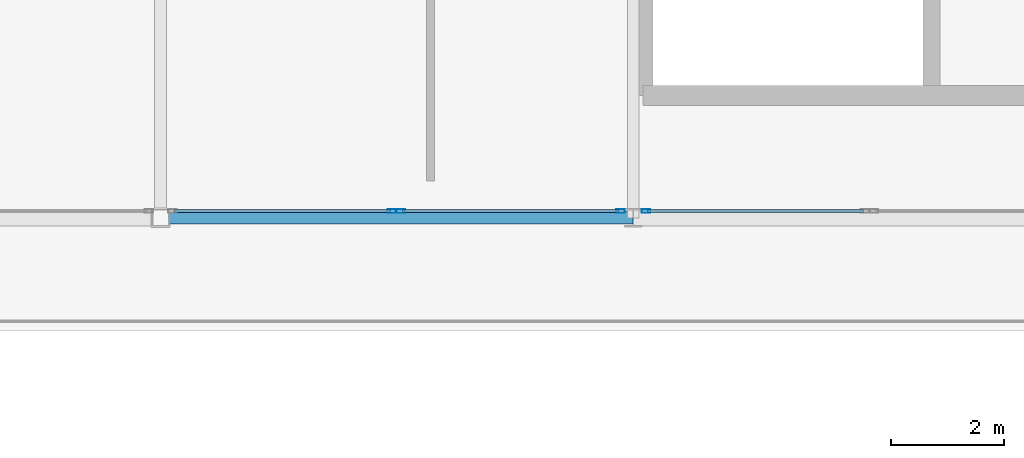
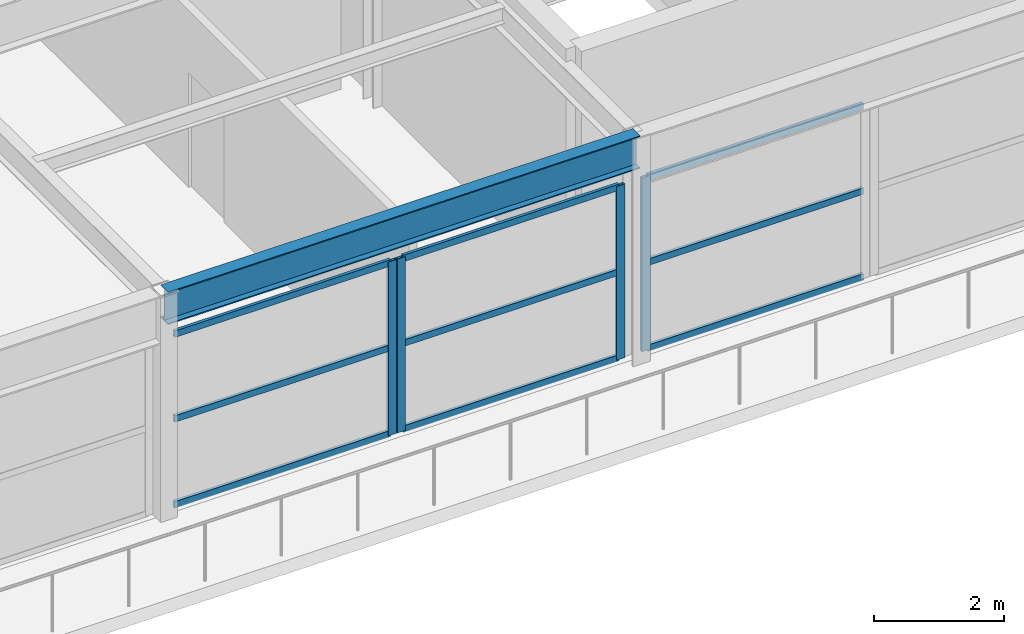
# One storey, part 60 of 123: 13 members, 1 beam, 3 elements without a shape of their own.
"""IFC4 building model written with IfcOpenShell, lengths in metres."""

from ifc_helpers import new_model, si_unit, direction, frame, origin, origin_2d, place, context, subcontext, project, spatial, hollow_rectangle, i_section, extrude, material, layer, layer_set, material_profile, profile_set, type_object, element, aggregate, save


model = new_model("IFC4")

# Units and contexts
model_context = context("Model", 3, precision=1e-05, world=origin(), true_north=direction((0.0, 1.0)))
body_context = subcontext(model_context, "Body", "Model", "MODEL_VIEW")
ifc_project = project(units=[si_unit("LENGTHUNIT", "METRE"), si_unit("AREAUNIT", "SQUARE_METRE"), si_unit("VOLUMEUNIT", "CUBIC_METRE"), si_unit("PLANEANGLEUNIT", "RADIAN"), si_unit("MASSUNIT", "GRAM", prefix="KILO")], contexts=[model_context])

# Site, building, storey
site_placement = place(None, origin())
site = spatial("IfcSite", under=ifc_project, at=site_placement, CompositionType="ELEMENT")
building_placement = place(site_placement, origin())
building = spatial("IfcBuilding", under=site, at=building_placement, Name="Kalgoora Escarpment Arena", CompositionType="ELEMENT")
storey_placement = place(building_placement, frame((0.0, 0.0, 9.89990234375)))
storey = spatial("IfcBuildingStorey", under=building, at=storey_placement, Name="L02", CompositionType="ELEMENT", Elevation=9.89990234375)

# Beam
ifc_material_1 = material(Name="Structural steel AS/NZS 3679 (300 MPa)", Category="steel")
ifc_material_profile_1 = material_profile(ifc_material_1, i_section(OverallWidth=0.22900390625, OverallDepth=0.612060546875, WebThickness=0.011962890625, FlangeThickness=0.01953125, at=origin_2d()))
ifc_profile_set_1 = profile_set([ifc_material_profile_1], Name="Structural steel AS/NZS 3679 (300 MPa)")
beam_type = type_object("IfcBeamType", Name="BM-SPANDREL-610UB125", PredefinedType="SPANDREL", material=ifc_profile_set_1)
beam_placement = place(storey_placement, frame((151.199951171875, 8.0, 3.9541015625), z_axis=(1.0, 0.0, 0.0), x_axis=(0.0, 1.0, 0.0)))
element("IfcBeam", 1, at=beam_placement, inside=storey, type_object=beam_type, Name="L02 Floor girder 610UB125", PredefinedType="SPANDREL", context=body_context, shape_type="SweptSolid", body=[
    extrude(i_section(OverallWidth=0.22900390625, OverallDepth=0.612060546875, WebThickness=0.011962890625, FlangeThickness=0.01953125, at=origin_2d()), origin(), (0.0, 0.0, 1.0), 8.400146484375),
])

# Curtain wall, member
ifc_material_2 = material(Name=" Champagne anodised aluminium & double-glazed low-E", Category="aluminium")
ifc_layer_1 = layer(ifc_material_2, 0.166015625)
ifc_layer_set_1 = layer_set([ifc_layer_1], Name="CW-UNIT-14")
curtain_wall_type_1 = type_object("IfcCurtainWallType", Name="CW-UNIT-14", PredefinedType="NOTDEFINED", material=ifc_layer_set_1)
curtain_wall_1_placement = place(storey_placement, origin())
curtain_wall_1 = element("IfcCurtainWall", 2, at=curtain_wall_1_placement, inside=storey, type_object=curtain_wall_type_1, Name="L02 unitised facade curtain wall 093", PredefinedType="NOTDEFINED")
ifc_material_3 = material(Name="Anodised aluminium 6063-T6", Category="aluminium")
ifc_material_profile_2 = material_profile(ifc_material_3, hollow_rectangle(XDim=0.06005859375, YDim=0.14990234375, WallThickness=0.00341796875, at=origin_2d()))
ifc_profile_set_2 = profile_set([ifc_material_profile_2], Name="Anodised aluminium 6063-T6")
member_type_1 = type_object("IfcMemberType", Name="MEM-CW-MULL-150", PredefinedType="MULLION", material=ifc_profile_set_2)
member_1_placement = place(storey_placement, frame((159.82421875, 8.1201171875, 0.02001953125), z_axis=(0.0, 0.0, 1.0), x_axis=(0.0, -1.0, 0.0)))
member_1 = element("IfcMember", 3, at=member_1_placement, type_object=member_type_1, Name="CW-14 mullion 2", PredefinedType="MULLION", context=body_context, shape_type="SweptSolid", body=[
    extrude(hollow_rectangle(XDim=0.06005859375, YDim=0.14990234375, WallThickness=0.00341796875, at=origin_2d()), origin(), (0.0, 0.0, 1.0), 3.26513671875),
])

# Curtain wall, members
ifc_material_4 = material(Name=" Champagne anodised aluminium & double-glazed low-E", Category="aluminium")
ifc_layer_2 = layer(ifc_material_4, 0.14990234375)
ifc_layer_set_2 = layer_set([ifc_layer_2], Name="CW-UNIT-15")
curtain_wall_type_2 = type_object("IfcCurtainWallType", Name="CW-UNIT-15", PredefinedType="NOTDEFINED", material=ifc_layer_set_2)
curtain_wall_2_placement = place(storey_placement, origin())
curtain_wall_2 = element("IfcCurtainWall", 4, at=curtain_wall_2_placement, inside=storey, type_object=curtain_wall_type_2, Name="L02 unitised facade curtain wall 094", PredefinedType="NOTDEFINED")
member_2_placement = place(storey_placement, frame((159.375732421875, 8.1201171875, 0.02001953125), z_axis=(0.0, 0.0, 1.0), x_axis=(0.0, -1.0, 0.0)))
member_2 = element("IfcMember", 5, at=member_2_placement, type_object=member_type_1, Name="CW-15 mullion 1", PredefinedType="MULLION", context=body_context, shape_type="SweptSolid", body=[
    extrude(hollow_rectangle(XDim=0.06005859375, YDim=0.14990234375, WallThickness=0.00341796875, at=origin_2d()), origin(), (0.0, 0.0, 1.0), 3.26513671875),
])
member_3_placement = place(storey_placement, frame((155.47216796875, 8.1201171875, 0.02001953125), z_axis=(0.0, 0.0, 1.0), x_axis=(0.0, -1.0, 0.0)))
member_3 = element("IfcMember", 6, at=member_3_placement, type_object=member_type_1, Name="CW-15 mullion 2", PredefinedType="MULLION", context=body_context, shape_type="SweptSolid", body=[
    extrude(hollow_rectangle(XDim=0.06005859375, YDim=0.14990234375, WallThickness=0.00341796875, at=origin_2d()), origin(), (0.0, 0.0, 1.0), 3.26513671875),
])

# Curtain wall, member
ifc_material_5 = material(Name=" Champagne anodised aluminium & double-glazed low-E", Category="aluminium")
ifc_layer_3 = layer(ifc_material_5, 0.154052734375)
ifc_layer_set_3 = layer_set([ifc_layer_3], Name="CW-UNIT-16")
curtain_wall_type_3 = type_object("IfcCurtainWallType", Name="CW-UNIT-16", PredefinedType="NOTDEFINED", material=ifc_layer_set_3)
curtain_wall_3_placement = place(storey_placement, origin())
curtain_wall_3 = element("IfcCurtainWall", 7, at=curtain_wall_3_placement, inside=storey, type_object=curtain_wall_type_3, Name="L02 unitised facade curtain wall 095", PredefinedType="NOTDEFINED")
member_4_placement = place(storey_placement, frame((155.31201171875, 8.1201171875, 0.02001953125), z_axis=(0.0, 0.0, 1.0), x_axis=(0.0, -1.0, 0.0)))
member_4 = element("IfcMember", 8, at=member_4_placement, type_object=member_type_1, Name="CW-16 mullion 1", PredefinedType="MULLION", context=body_context, shape_type="SweptSolid", body=[
    extrude(hollow_rectangle(XDim=0.06005859375, YDim=0.14990234375, WallThickness=0.00341796875, at=origin_2d()), origin(), (0.0, 0.0, 1.0), 3.26513671875),
])

# Member
ifc_material_6 = material(Name="Anodised aluminium 6063-T6", Category="aluminium")
ifc_material_profile_3 = material_profile(ifc_material_6, hollow_rectangle(XDim=0.054931640625, YDim=0.1201171875, WallThickness=0.003173828125, at=origin_2d()))
ifc_profile_set_3 = profile_set([ifc_material_profile_3], Name="Anodised aluminium 6063-T6")
member_type_2 = type_object("IfcMemberType", Name="MEM-CW-TRAN-120", PredefinedType="USERDEFINED", material=ifc_profile_set_3)
member_5_placement = place(storey_placement, frame((163.691650390625, 8.1201171875, 0.047607421875), z_axis=(-1.0, 0.0, 0.0), x_axis=(0.0, -1.0, 0.0)))
member_5 = element("IfcMember", 9, at=member_5_placement, type_object=member_type_2, Name="CW-14 transom 1.1", ObjectType="TRANSOM", PredefinedType="USERDEFINED", context=body_context, shape_type="SweptSolid", body=[
    extrude(hollow_rectangle(XDim=0.054931640625, YDim=0.1201171875, WallThickness=0.003173828125, at=origin_2d()), origin(), (0.0, 0.0, 1.0), 3.83740234375),
])

member_6_placement = place(storey_placement, frame((163.691650390625, 8.1201171875, 1.66259765625), z_axis=(-1.0, 0.0, 0.0), x_axis=(0.0, -1.0, 0.0)))
member_6 = element("IfcMember", 10, at=member_6_placement, type_object=member_type_2, Name="CW-14 transom 1.2", ObjectType="TRANSOM", PredefinedType="USERDEFINED", context=body_context, shape_type="SweptSolid", body=[
    extrude(hollow_rectangle(XDim=0.054931640625, YDim=0.1201171875, WallThickness=0.003173828125, at=origin_2d()), origin(), (0.0, 0.0, 1.0), 3.83740234375),
])

member_7_placement = place(storey_placement, frame((163.691650390625, 8.1201171875, 3.257568359375), z_axis=(-1.0, 0.0, 0.0), x_axis=(0.0, -1.0, 0.0)))
member_7 = element("IfcMember", 11, at=member_7_placement, type_object=member_type_2, Name="CW-14 transom 1.3", ObjectType="TRANSOM", PredefinedType="USERDEFINED", context=body_context, shape_type="SweptSolid", body=[
    extrude(hollow_rectangle(XDim=0.054931640625, YDim=0.1201171875, WallThickness=0.003173828125, at=origin_2d()), origin(), (0.0, 0.0, 1.0), 3.83740234375),
])

aggregate(curtain_wall_1, [member_1, member_5, member_6, member_7])

member_8_placement = place(storey_placement, frame((159.345703125, 8.1201171875, 0.047607421875), z_axis=(-1.0, 0.0, 0.0), x_axis=(0.0, -1.0, 0.0)))
member_8 = element("IfcMember", 12, at=member_8_placement, type_object=member_type_2, Name="CW-15 transom 1.1", ObjectType="TRANSOM", PredefinedType="USERDEFINED", context=body_context, shape_type="SweptSolid", body=[
    extrude(hollow_rectangle(XDim=0.054931640625, YDim=0.1201171875, WallThickness=0.003173828125, at=origin_2d()), origin(), (0.0, 0.0, 1.0), 3.843505859375),
])

member_9_placement = place(storey_placement, frame((159.345703125, 8.1201171875, 1.66259765625), z_axis=(-1.0, 0.0, 0.0), x_axis=(0.0, -1.0, 0.0)))
member_9 = element("IfcMember", 13, at=member_9_placement, type_object=member_type_2, Name="CW-15 transom 1.2", ObjectType="TRANSOM", PredefinedType="USERDEFINED", context=body_context, shape_type="SweptSolid", body=[
    extrude(hollow_rectangle(XDim=0.054931640625, YDim=0.1201171875, WallThickness=0.003173828125, at=origin_2d()), origin(), (0.0, 0.0, 1.0), 3.843505859375),
])

member_10_placement = place(storey_placement, frame((159.345703125, 8.1201171875, 3.257568359375), z_axis=(-1.0, 0.0, 0.0), x_axis=(0.0, -1.0, 0.0)))
member_10 = element("IfcMember", 14, at=member_10_placement, type_object=member_type_2, Name="CW-15 transom 1.3", ObjectType="TRANSOM", PredefinedType="USERDEFINED", context=body_context, shape_type="SweptSolid", body=[
    extrude(hollow_rectangle(XDim=0.054931640625, YDim=0.1201171875, WallThickness=0.003173828125, at=origin_2d()), origin(), (0.0, 0.0, 1.0), 3.843505859375),
])

aggregate(curtain_wall_2, [member_2, member_3, member_8, member_9, member_10])

member_11_placement = place(storey_placement, frame((155.281982421875, 8.1201171875, 0.047607421875), z_axis=(-1.0, 0.0, 0.0), x_axis=(0.0, -1.0, 0.0)))
member_11 = element("IfcMember", 15, at=member_11_placement, type_object=member_type_2, Name="CW-16 transom 1.1", ObjectType="TRANSOM", PredefinedType="USERDEFINED", context=body_context, shape_type="SweptSolid", body=[
    extrude(hollow_rectangle(XDim=0.054931640625, YDim=0.1201171875, WallThickness=0.003173828125, at=origin_2d()), origin(), (0.0, 0.0, 1.0), 3.843505859375),
])

member_12_placement = place(storey_placement, frame((155.281982421875, 8.1201171875, 1.66259765625), z_axis=(-1.0, 0.0, 0.0), x_axis=(0.0, -1.0, 0.0)))
member_12 = element("IfcMember", 16, at=member_12_placement, type_object=member_type_2, Name="CW-16 transom 1.2", ObjectType="TRANSOM", PredefinedType="USERDEFINED", context=body_context, shape_type="SweptSolid", body=[
    extrude(hollow_rectangle(XDim=0.054931640625, YDim=0.1201171875, WallThickness=0.003173828125, at=origin_2d()), origin(), (0.0, 0.0, 1.0), 3.843505859375),
])

member_13_placement = place(storey_placement, frame((155.281982421875, 8.1201171875, 3.257568359375), z_axis=(-1.0, 0.0, 0.0), x_axis=(0.0, -1.0, 0.0)))
member_13 = element("IfcMember", 17, at=member_13_placement, type_object=member_type_2, Name="CW-16 transom 1.3", ObjectType="TRANSOM", PredefinedType="USERDEFINED", context=body_context, shape_type="SweptSolid", body=[
    extrude(hollow_rectangle(XDim=0.054931640625, YDim=0.1201171875, WallThickness=0.003173828125, at=origin_2d()), origin(), (0.0, 0.0, 1.0), 3.843505859375),
])

aggregate(curtain_wall_3, [member_4, member_11, member_12, member_13])

save(model, "model.ifc")
